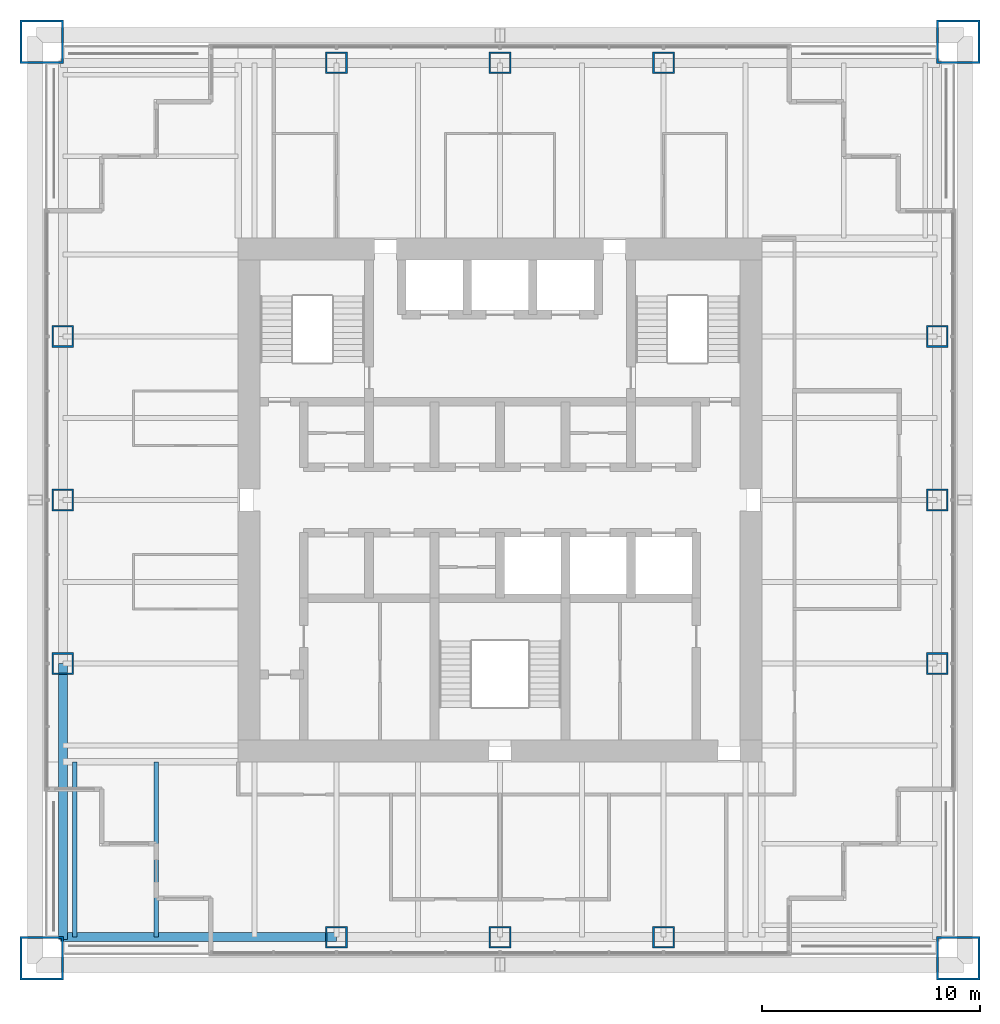
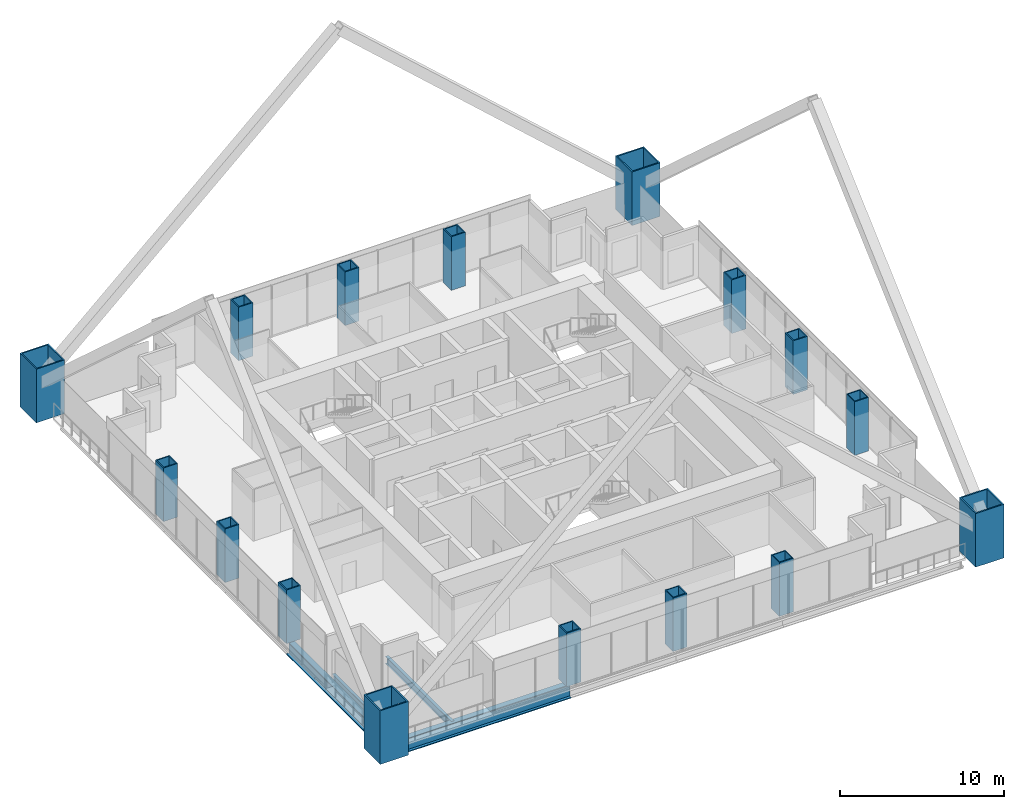
# One storey, part 1 of 18: 16 columns, 4 beams.
"""IFC4 building model written with IfcOpenShell, lengths in metres."""

from ifc_helpers import new_model, si_unit, direction, frame, origin, origin_2d, place, context, subcontext, project, spatial, hollow_rectangle, i_section, extrude, material, material_profile, profile_set, type_object, element, save


model = new_model("IFC4")

# Units and contexts
model_context = context("Model", 3, precision=1e-05, world=origin(), true_north=direction((0.0, 1.0)))
body_context = subcontext(model_context, "Body", "Model", "MODEL_VIEW")
ifc_project = project(units=[si_unit("LENGTHUNIT", "METRE"), si_unit("AREAUNIT", "SQUARE_METRE"), si_unit("VOLUMEUNIT", "CUBIC_METRE"), si_unit("PLANEANGLEUNIT", "RADIAN"), si_unit("MASSUNIT", "GRAM", prefix="KILO")], contexts=[model_context])

# Site, building, storey
site_placement = place(None, origin())
site = spatial("IfcSite", under=ifc_project, at=site_placement, CompositionType="ELEMENT")
building_placement = place(site_placement, origin())
building = spatial("IfcBuilding", under=site, at=building_placement, Name="Tarangal Relay Tower", CompositionType="ELEMENT")
storey_placement = place(building_placement, frame((0.0, 0.0, 295.89990234375)))
storey = spatial("IfcBuildingStorey", under=building, at=storey_placement, Name="L65", CompositionType="ELEMENT", Elevation=295.89990234375)

# Columns
ifc_material_1 = material(Name="Steel ASTM A572 Grade 50", Category="steel")
ifc_material_profile_1 = material_profile(ifc_material_1, hollow_rectangle(XDim=2.0, YDim=2.0, WallThickness=0.094970703125, at=origin_2d()), Name="BOX2000X2000X95")
ifc_profile_set_1 = profile_set([ifc_material_profile_1], Name="Steel ASTM A572 Grade 50")
column_type_1 = type_object("IfcColumnType", Name="Mega column BOX2000X2000X95", PredefinedType="COLUMN", material=ifc_profile_set_1)
for number, where, z_axis, x_axis, name in (
    (1, (21.0, 21.0, 0.0), (0.0, 0.0, 1.0), (1.0, 0.0, 0.0), "Mega column MC4 NE L65"),
    (2, (21.0, -21.0, 0.0), (0.0, 0.0, 1.0), (1.0, 0.0, 0.0), "Mega column MC4 SE L65"),
    (3, (-21.0, -21.0, 0.0), (0.0, 0.0, 1.0), (1.0, 0.0, 0.0), "Mega column MC4 SW L65"),
    (4, (-21.0, 21.0, 0.0), (0.0, 0.0, 1.0), (1.0, 0.0, 0.0), "Mega column MC4 NW L65"),
):
    element("IfcColumn", number, at=place(storey_placement, frame(where, z_axis=z_axis, x_axis=x_axis)), inside=storey, type_object=column_type_1, Name=name, PredefinedType="COLUMN", context=body_context, shape_type="SweptSolid", body=[
        extrude(hollow_rectangle(XDim=2.0, YDim=2.0, WallThickness=0.094970703125, at=origin_2d()), origin(), (0.0, 0.0, 1.0), 4.0),
    ])
ifc_material_profile_2 = material_profile(ifc_material_1, hollow_rectangle(XDim=1.0, YDim=1.0, WallThickness=0.074951171875, at=origin_2d()), Name="BOX1000X1000X75")
ifc_profile_set_2 = profile_set([ifc_material_profile_2], Name="Steel ASTM A572 Grade 50")
column_type_2 = type_object("IfcColumnType", Name="Perimeter column BOX1000X1000X75", PredefinedType="COLUMN", material=ifc_profile_set_2)
for number, where, z_axis, x_axis, name in (
    (5, (-7.5, 20.0400390625, 0.0), (0.0, 0.0, 1.0), (1.0, 0.0, 0.0), "Perimeter column PC5 N L65"),
    (6, (0.0, 20.0400390625, 0.0), (0.0, 0.0, 1.0), (1.0, 0.0, 0.0), "Perimeter column PC5 N L65"),
    (7, (7.5, 20.0400390625, 0.0), (0.0, 0.0, 1.0), (1.0, 0.0, 0.0), "Perimeter column PC5 N L65"),
    (8, (20.0400390625, 7.5, 0.0), (0.0, 0.0, 1.0), (1.0, 0.0, 0.0), "Perimeter column PC5 E L65"),
    (9, (20.0400390625, 0.0, 0.0), (0.0, 0.0, 1.0), (1.0, 0.0, 0.0), "Perimeter column PC5 E L65"),
    (10, (20.0400390625, -7.5, 0.0), (0.0, 0.0, 1.0), (1.0, 0.0, 0.0), "Perimeter column PC5 E L65"),
    (11, (7.5, -20.0400390625, 0.0), (0.0, 0.0, 1.0), (1.0, 0.0, 0.0), "Perimeter column PC5 S L65"),
    (12, (0.0, -20.0400390625, 0.0), (0.0, 0.0, 1.0), (1.0, 0.0, 0.0), "Perimeter column PC5 S L65"),
    (13, (-7.5, -20.0400390625, 0.0), (0.0, 0.0, 1.0), (1.0, 0.0, 0.0), "Perimeter column PC5 S L65"),
    (14, (-20.0400390625, -7.5, 0.0), (0.0, 0.0, 1.0), (1.0, 0.0, 0.0), "Perimeter column PC5 W L65"),
    (15, (-20.0400390625, 0.0, 0.0), (0.0, 0.0, 1.0), (1.0, 0.0, 0.0), "Perimeter column PC5 W L65"),
    (16, (-20.0400390625, 7.5, 0.0), (0.0, 0.0, 1.0), (1.0, 0.0, 0.0), "Perimeter column PC5 W L65"),
):
    element("IfcColumn", number, at=place(storey_placement, frame(where, z_axis=z_axis, x_axis=x_axis)), inside=storey, type_object=column_type_2, Name=name, PredefinedType="COLUMN", context=body_context, shape_type="SweptSolid", body=[
        extrude(hollow_rectangle(XDim=1.0, YDim=1.0, WallThickness=0.074951171875, at=origin_2d()), origin(), (0.0, 0.0, 1.0), 4.0),
    ])

# Beams
ifc_material_2 = material(Name="Steel ASTM A992", Category="steel")
ifc_material_profile_3 = material_profile(ifc_material_2, i_section(OverallWidth=0.209228515625, OverallDepth=0.533447265625, WebThickness=0.01025390625, FlangeThickness=0.015625, at=origin_2d()), Name="W21X62")
ifc_profile_set_3 = profile_set([ifc_material_profile_3], Name="Steel ASTM A992")
beam_type_1 = type_object("IfcBeamType", Name="Corner beam W21X62", PredefinedType="JOIST", material=ifc_profile_set_3)
for number, where, z_axis, x_axis, name in (
    (17, (-15.75, -12.0, -0.41650390625), (0.0, -1.0, 0.0), (1.0, 0.0, 0.0), "Corner beam CB12 S L65"),
    (18, (-19.5, -12.0, -0.41650390625), (0.0, -1.0, 0.0), (1.0, 0.0, 0.0), "Corner beam CB12 S L65"),
):
    element("IfcBeam", number, at=place(storey_placement, frame(where, z_axis=z_axis, x_axis=x_axis)), inside=storey, type_object=beam_type_1, Name=name, PredefinedType="JOIST", context=body_context, shape_type="SweptSolid", body=[
        extrude(i_section(OverallWidth=0.209228515625, OverallDepth=0.533447265625, WebThickness=0.01025390625, FlangeThickness=0.015625, at=origin_2d()), origin(), (0.0, 0.0, 1.0), 8.0400390625),
    ])
ifc_material_profile_4 = material_profile(ifc_material_2, i_section(OverallWidth=0.41162109375, OverallDepth=1.049072265625, WebThickness=0.033935546875, FlangeThickness=0.059814453125, at=origin_2d()), Name="W40X431")
ifc_profile_set_4 = profile_set([ifc_material_profile_4], Name="Steel ASTM A992")
beam_type_2 = type_object("IfcBeamType", Name="Edge girder W40X431", PredefinedType="SPANDREL", material=ifc_profile_set_4)
for number, where, z_axis, x_axis, name in (
    (19, (-7.5, -20.0400390625, -0.67431640625), (-1.0, 0.0, 0.0), (0.0, -1.0, 0.0), "Edge girder EG1 S L65"),
    (20, (-20.0400390625, -20.14990234375, -0.67431640625), (0.0, 1.0, 0.0), (-1.0, 0.0, 0.0), "Edge girder EG1 W L65"),
):
    element("IfcBeam", number, at=place(storey_placement, frame(where, z_axis=z_axis, x_axis=x_axis)), inside=storey, type_object=beam_type_2, Name=name, PredefinedType="SPANDREL", context=body_context, shape_type="SweptSolid", body=[
        extrude(i_section(OverallWidth=0.41162109375, OverallDepth=1.049072265625, WebThickness=0.033935546875, FlangeThickness=0.059814453125, at=origin_2d()), origin(), (0.0, 0.0, 1.0), 12.64990234375),
    ])

save(model, "model.ifc")
